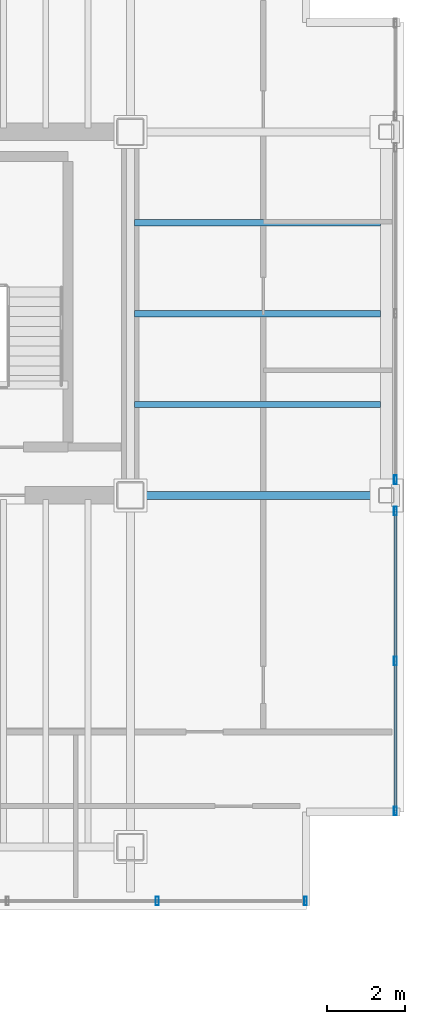
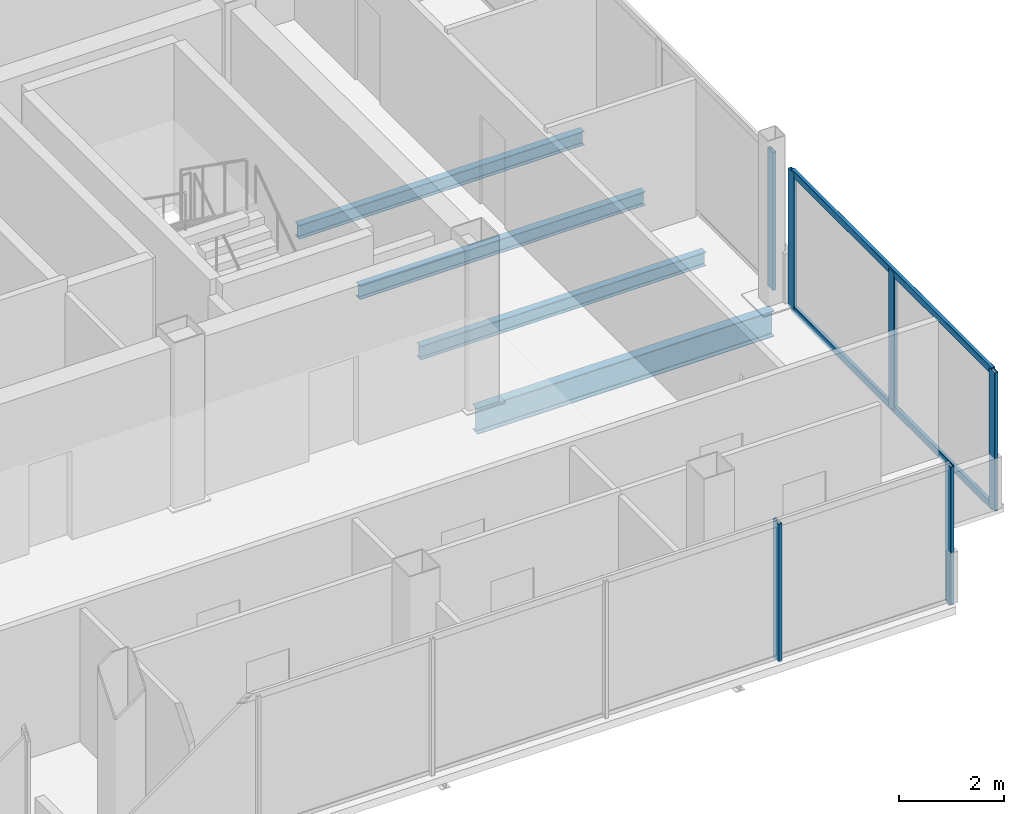
# One storey, part 12 of 17: 8 members, 4 beams, 3 elements without a shape of their own.
"""IFC4 building model written with IfcOpenShell, lengths in metres."""

from ifc_helpers import new_model, si_unit, direction, frame, origin, origin_2d, place, context, subcontext, project, spatial, hollow_rectangle, i_section, extrude, material, material_profile, profile_set, type_object, element, aggregate, save


model = new_model("IFC4")

# Units and contexts
model_context = context("Model", 3, precision=1e-05, world=origin(), true_north=direction((0.0, 1.0)))
body_context = subcontext(model_context, "Body", "Model", "MODEL_VIEW")
ifc_project = project(units=[si_unit("LENGTHUNIT", "METRE"), si_unit("AREAUNIT", "SQUARE_METRE"), si_unit("VOLUMEUNIT", "CUBIC_METRE"), si_unit("PLANEANGLEUNIT", "RADIAN"), si_unit("MASSUNIT", "GRAM", prefix="KILO")], contexts=[model_context])

# Site, building, storey
site_placement = place(None, origin())
site = spatial("IfcSite", under=ifc_project, at=site_placement, CompositionType="ELEMENT")
building_placement = place(site_placement, origin())
building = spatial("IfcBuilding", under=site, at=building_placement, Name="Noeulbin Bourse Tower", CompositionType="ELEMENT")
storey_placement = place(building_placement, frame((0.0, 0.0, 296.89990234375)))
storey = spatial("IfcBuildingStorey", under=building, at=storey_placement, Name="L74", CompositionType="ELEMENT", Elevation=296.89990234375)

# Beams
ifc_material_1 = material(Name="Steel S355", Category="steel")
ifc_material_profile_1 = material_profile(ifc_material_1, i_section(OverallWidth=0.199951171875, OverallDepth=0.60009765625, WebThickness=0.010986328125, FlangeThickness=0.01708984375, FilletRadius=0.02197265625, at=origin_2d()), Name="H-600x200x11x17", Category="LoadBearing")
ifc_profile_set_1 = profile_set([ifc_material_profile_1], Name="Steel S355")
beam_type_1 = type_object("IfcBeamType", Name="BM-GRD-600", PredefinedType="USERDEFINED", material=ifc_profile_set_1)
beam_placement = place(storey_placement, frame((44.0, 29.0, -0.47998046875), z_axis=(1.0, 0.0, 0.0), x_axis=(0.0, 1.0, 0.0)))
element("IfcBeam", 1, at=beam_placement, inside=storey, type_object=beam_type_1, Name="Tower Primary Girder EW L74-2.4", ObjectType="GIRDER", PredefinedType="USERDEFINED", context=body_context, shape_type="SweptSolid", body=[
    extrude(i_section(OverallWidth=0.199951171875, OverallDepth=0.60009765625, WebThickness=0.010986328125, FlangeThickness=0.01708984375, FilletRadius=0.02197265625, at=origin_2d()), origin(), (0.0, 0.0, 1.0), 6.550048828125),
])
ifc_material_profile_2 = material_profile(ifc_material_1, i_section(OverallWidth=0.159912109375, OverallDepth=0.320068359375, WebThickness=0.006591796875, FlangeThickness=0.010009765625, FilletRadius=0.012939453125, at=origin_2d()), Name="H-320x160x6.5x10", Category="LoadBearing")
ifc_profile_set_2 = profile_set([ifc_material_profile_2], Name="Steel S355")
beam_type_2 = type_object("IfcBeamType", Name="BM-JST-320", PredefinedType="JOIST", material=ifc_profile_set_2)
for number, where, z_axis, x_axis, name in (
    (2, (44.10009765625, 31.324951171875, -0.33984375), (1.0, 0.0, 0.0), (0.0, 1.0, 0.0), "Wing Composite Joist L74-E31"),
    (3, (44.10009765625, 33.64990234375, -0.33984375), (1.0, 0.0, 0.0), (0.0, 1.0, 0.0), "Wing Composite Joist L74-E32"),
    (4, (44.10009765625, 35.97509765625, -0.33984375), (1.0, 0.0, 0.0), (0.0, 1.0, 0.0), "Wing Composite Joist L74-E33"),
):
    element("IfcBeam", number, at=place(storey_placement, frame(where, z_axis=z_axis, x_axis=x_axis)), inside=storey, type_object=beam_type_2, Name=name, PredefinedType="JOIST", context=body_context, shape_type="SweptSolid", body=[
        extrude(i_section(OverallWidth=0.159912109375, OverallDepth=0.320068359375, WebThickness=0.006591796875, FlangeThickness=0.010009765625, FilletRadius=0.012939453125, at=origin_2d()), origin(), (0.0, 0.0, 1.0), 6.2998046875),
    ])

# Curtain wall, members
ifc_material_2 = material(Name="High-Selectivity Low-Iron Glazing", Category="glass")
curtain_wall_type = type_object("IfcCurtainWallType", Name="CW-SYS-4", PredefinedType="NOTDEFINED", material=ifc_material_2)
curtain_wall_1_placement = place(storey_placement, origin())
curtain_wall_1 = element("IfcCurtainWall", 5, at=curtain_wall_1_placement, inside=storey, type_object=curtain_wall_type, Name="Unitised Curtain Wall CW-L74-S2", PredefinedType="NOTDEFINED")
ifc_material_3 = material(Name="Anodised Aluminium 6063-T6", Category="aluminium")
ifc_material_profile_3 = material_profile(ifc_material_3, hollow_rectangle(XDim=0.074951171875, YDim=0.219970703125, WallThickness=0.0048828125, InnerFilletRadius=0.00244140625, OuterFilletRadius=0.0048828125, at=origin_2d()), Name="ALU-MULL-75x220x5", Category="LoadBearing")
ifc_profile_set_3 = profile_set([ifc_material_profile_3], Name="Anodised Aluminium 6063-T6")
member_type_1 = type_object("IfcMemberType", Name="CW-SYS-4-MUL", PredefinedType="MULLION", material=ifc_profile_set_3)
member_1_placement = place(storey_placement, frame((44.68603515625, 18.6201171875, -0.02001953125), z_axis=(0.0, 0.0, 1.0), x_axis=(1.0, 0.0, 0.0)))
member_1 = element("IfcMember", 6, at=member_1_placement, type_object=member_type_1, Name="Curtain Wall Mullion CW-L74-S2-M04", PredefinedType="MULLION", context=body_context, shape_type="SweptSolid", body=[
    extrude(hollow_rectangle(XDim=0.074951171875, YDim=0.219970703125, WallThickness=0.0048828125, InnerFilletRadius=0.00244140625, OuterFilletRadius=0.0048828125, at=origin_2d()), origin(), (0.0, 0.0, 1.0), 3.22021484375),
])
member_2_placement = place(storey_placement, frame((48.47998046875, 18.6201171875, -0.02001953125), z_axis=(0.0, 0.0, 1.0), x_axis=(1.0, 0.0, 0.0)))
member_2 = element("IfcMember", 7, at=member_2_placement, type_object=member_type_1, Name="Curtain Wall Mullion CW-L74-S2-M05", PredefinedType="MULLION", context=body_context, shape_type="SweptSolid", body=[
    extrude(hollow_rectangle(XDim=0.074951171875, YDim=0.219970703125, WallThickness=0.0048828125, InnerFilletRadius=0.00244140625, OuterFilletRadius=0.0048828125, at=origin_2d()), origin(), (0.0, 0.0, 1.0), 3.22021484375),
])
aggregate(curtain_wall_1, [member_1, member_2])

curtain_wall_2_placement = place(storey_placement, origin())
curtain_wall_2 = element("IfcCurtainWall", 8, at=curtain_wall_2_placement, inside=storey, type_object=curtain_wall_type, Name="Unitised Curtain Wall CW-L74-E-S1", PredefinedType="NOTDEFINED")
member_3_placement = place(storey_placement, frame((50.780029296875, 20.919921875, -0.02001953125), z_axis=(0.0, 0.0, 1.0), x_axis=(1.0, 0.0, 0.0)))
member_3 = element("IfcMember", 9, at=member_3_placement, type_object=member_type_1, Name="Curtain Wall Mullion CW-L74-E-S1-M00", PredefinedType="MULLION", context=body_context, shape_type="SweptSolid", body=[
    extrude(hollow_rectangle(XDim=0.074951171875, YDim=0.219970703125, WallThickness=0.0048828125, InnerFilletRadius=0.00244140625, OuterFilletRadius=0.0048828125, at=origin_2d()), origin(), (0.0, 0.0, 1.0), 3.22021484375),
])
member_4_placement = place(storey_placement, frame((50.780029296875, 24.760009765625, -0.02001953125), z_axis=(0.0, 0.0, 1.0), x_axis=(1.0, 0.0, 0.0)))
member_4 = element("IfcMember", 10, at=member_4_placement, type_object=member_type_1, Name="Curtain Wall Mullion CW-L74-E-S1-M01", PredefinedType="MULLION", context=body_context, shape_type="SweptSolid", body=[
    extrude(hollow_rectangle(XDim=0.074951171875, YDim=0.219970703125, WallThickness=0.0048828125, InnerFilletRadius=0.00244140625, OuterFilletRadius=0.0048828125, at=origin_2d()), origin(), (0.0, 0.0, 1.0), 3.22021484375),
])
member_5_placement = place(storey_placement, frame((50.780029296875, 28.60009765625, -0.02001953125), z_axis=(0.0, 0.0, 1.0), x_axis=(1.0, 0.0, 0.0)))
member_5 = element("IfcMember", 11, at=member_5_placement, type_object=member_type_1, Name="Curtain Wall Mullion CW-L74-E-S1-M02", PredefinedType="MULLION", context=body_context, shape_type="SweptSolid", body=[
    extrude(hollow_rectangle(XDim=0.074951171875, YDim=0.219970703125, WallThickness=0.0048828125, InnerFilletRadius=0.00244140625, OuterFilletRadius=0.0048828125, at=origin_2d()), origin(), (0.0, 0.0, 1.0), 3.22021484375),
])

# Curtain wall, member
curtain_wall_3_placement = place(storey_placement, origin())
curtain_wall_3 = element("IfcCurtainWall", 12, at=curtain_wall_3_placement, inside=storey, type_object=curtain_wall_type, Name="Unitised Curtain Wall CW-L74-E-S2", PredefinedType="NOTDEFINED")
member_6_placement = place(storey_placement, frame((50.780029296875, 29.39990234375, -0.02001953125), z_axis=(0.0, 0.0, 1.0), x_axis=(1.0, 0.0, 0.0)))
member_6 = element("IfcMember", 13, at=member_6_placement, type_object=member_type_1, Name="Curtain Wall Mullion CW-L74-E-S2-M00", PredefinedType="MULLION", context=body_context, shape_type="SweptSolid", body=[
    extrude(hollow_rectangle(XDim=0.074951171875, YDim=0.219970703125, WallThickness=0.0048828125, InnerFilletRadius=0.00244140625, OuterFilletRadius=0.0048828125, at=origin_2d()), origin(), (0.0, 0.0, 1.0), 3.22021484375),
])
aggregate(curtain_wall_3, [member_6])

# Member
ifc_material_profile_4 = material_profile(ifc_material_3, hollow_rectangle(XDim=0.074951171875, YDim=0.159912109375, WallThickness=0.0048828125, InnerFilletRadius=0.00244140625, OuterFilletRadius=0.0048828125, at=origin_2d()), Name="ALU-TRAN-75x160x5", Category="LoadBearing")
ifc_profile_set_4 = profile_set([ifc_material_profile_4], Name="Anodised Aluminium 6063-T6")
member_type_2 = type_object("IfcMemberType", Name="CW-SYS-4-TRN", PredefinedType="USERDEFINED", material=ifc_profile_set_4)
member_7_placement = place(storey_placement, frame((50.780029296875, 20.929931640625, 0.010009765625), z_axis=(0.0, 1.0, 0.0), x_axis=(-1.0, 0.0, 0.0)))
member_7 = element("IfcMember", 14, at=member_7_placement, type_object=member_type_2, Name="Curtain Wall Transom CW-L74-E-S1-T00", ObjectType="TRANSOM", PredefinedType="USERDEFINED", context=body_context, shape_type="SweptSolid", body=[
    extrude(hollow_rectangle(XDim=0.074951171875, YDim=0.159912109375, WallThickness=0.0048828125, InnerFilletRadius=0.00244140625, OuterFilletRadius=0.0048828125, at=origin_2d()), origin(), (0.0, 0.0, 1.0), 7.66015625),
])

member_8_placement = place(storey_placement, frame((50.780029296875, 20.929931640625, 3.170166015625), z_axis=(0.0, 1.0, 0.0), x_axis=(-1.0, 0.0, 0.0)))
member_8 = element("IfcMember", 15, at=member_8_placement, type_object=member_type_2, Name="Curtain Wall Transom CW-L74-E-S1-T01", ObjectType="TRANSOM", PredefinedType="USERDEFINED", context=body_context, shape_type="SweptSolid", body=[
    extrude(hollow_rectangle(XDim=0.074951171875, YDim=0.159912109375, WallThickness=0.0048828125, InnerFilletRadius=0.00244140625, OuterFilletRadius=0.0048828125, at=origin_2d()), origin(), (0.0, 0.0, 1.0), 7.66015625),
])

aggregate(curtain_wall_2, [member_3, member_4, member_5, member_7, member_8])

save(model, "model.ifc")
